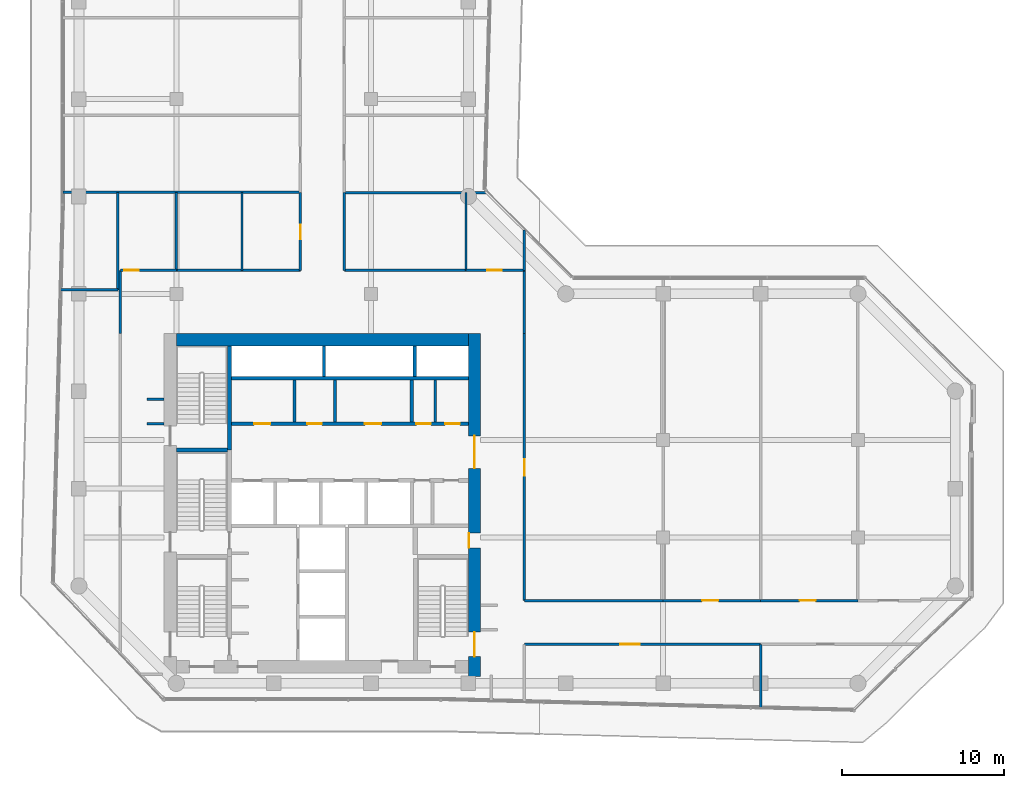
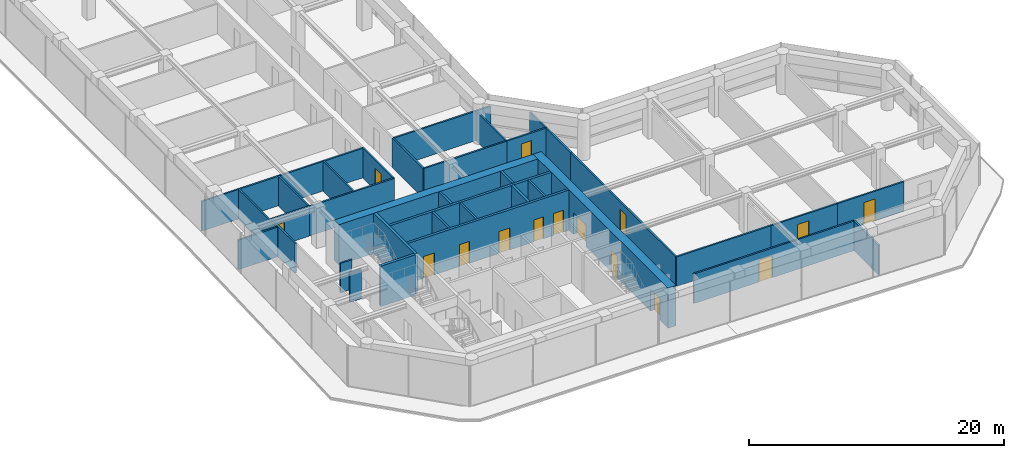
# One storey, part 19 of 23: 36 walls, 15 doors, 15 openings.
"""IFC4 building model written with IfcOpenShell, lengths in metres."""

from ifc_helpers import new_model, si_unit, direction, frame, frame_2d, origin, place, context, subcontext, project, spatial, rectangle, extrude, material, layer, layer_set, type_object, element, fill, save


model = new_model("IFC4")

# Units and contexts
model_context = context("Model", 3, precision=1e-05, world=origin(), true_north=direction((0.0, 1.0)))
body_context = subcontext(model_context, "Body", "Model", "MODEL_VIEW")
ifc_project = project(units=[si_unit("LENGTHUNIT", "METRE"), si_unit("AREAUNIT", "SQUARE_METRE"), si_unit("VOLUMEUNIT", "CUBIC_METRE"), si_unit("PLANEANGLEUNIT", "RADIAN"), si_unit("MASSUNIT", "GRAM", prefix="KILO")], contexts=[model_context])

# Site, building, storey
site_placement = place(None, origin())
site = spatial("IfcSite", under=ifc_project, at=site_placement, CompositionType="ELEMENT")
building_placement = place(site_placement, origin())
building = spatial("IfcBuilding", under=site, at=building_placement, Name="Welwitschia Terrace Campus", CompositionType="ELEMENT")
storey_placement = place(building_placement, frame((0.0, 0.0, 117.199951171875)))
storey = spatial("IfcBuildingStorey", under=building, at=storey_placement, Name="L26", CompositionType="ELEMENT", Elevation=117.199951171875)

# Walls
ifc_material_1 = material(Name="Concrete C32/40", Category="concrete")
ifc_layer_1 = layer(ifc_material_1, 0.175048828125)
ifc_layer_set_1 = layer_set([ifc_layer_1], Name="Concrete C32/40")
wall_type_1 = type_object("IfcWallType", Name="Core partition 175 Concrete C32/40", PredefinedType="PARTITIONING", material=ifc_layer_set_1)
for number, where, z_axis, x_axis, name in (
    (1, (13.27490234375, 20.10009765625, 0.0), (0.0, 0.0, 1.0), (0.0, 1.0, 0.0), "Core partition"),
    (2, (15.77490234375, 20.10009765625, 0.0), (0.0, 0.0, 1.0), (0.0, 1.0, 0.0), "Core partition"),
    (3, (21.9599609375, 20.10009765625, 0.0), (0.0, 0.0, 1.0), (0.0, 1.0, 0.0), "Core partition"),
):
    element("IfcWall", number, at=place(storey_placement, frame(where, z_axis=z_axis, x_axis=x_axis)), inside=storey, type_object=wall_type_1, Name=name, PredefinedType="PARTITIONING", context=body_context, shape_type="SweptSolid", body=[
        extrude(rectangle(XDim=2.599853515625, YDim=0.175048828125, at=frame_2d((1.2998046875, 0.0))), origin(), (0.0, 0.0, 1.0), 3.85009765625),
    ])

# Wall, openings, doors
ifc_material_2 = material(Name="Concrete C32/40", Category="concrete")
ifc_layer_2 = layer(ifc_material_2, 0.22509765625)
ifc_layer_set_2 = layer_set([ifc_layer_2], Name="Concrete C32/40")
wall_type_2 = type_object("IfcWallType", Name="Core partition 225 Concrete C32/40", PredefinedType="PARTITIONING", material=ifc_layer_set_2)
wall_1_placement = place(storey_placement, frame((24.0, 20.0, 0.0), z_axis=(0.0, 0.0, 1.0), x_axis=(-1.0, 0.0, 0.0)))
wall_1 = element("IfcWall", 4, at=wall_1_placement, inside=storey, type_object=wall_type_2, Name="Core partition", PredefinedType="PARTITIONING", context=body_context, shape_type="SweptSolid", body=[
    extrude(rectangle(XDim=14.60009765625, YDim=0.22509765625, at=frame_2d((7.300048828125, 0.0))), origin(), (0.0, 0.0, 1.0), 3.85009765625),
])
opening_1_placement = place(wall_1_placement, frame((12.199951171875, 0.0, 0.0)))
opening_1 = element("IfcOpeningElement", 5, at=opening_1_placement, cuts=wall_1, Name="Opening DR10", PredefinedType="OPENING", context=body_context, shape_type="SweptSolid", body=[
    extrude(rectangle(XDim=1.0, YDim=2.10009765625, at=frame_2d((0.5, 1.050048828125))), frame((0.0, 0.12255859375, 0.0), z_axis=(0.0, -1.0, 0.0), x_axis=(1.0, 0.0, 0.0)), (0.0, 0.0, 1.0), 0.2451171875),
])
opening_2_placement = place(wall_1_placement, frame((9.02490234375, 0.0, 0.0)))
opening_2 = element("IfcOpeningElement", 6, at=opening_2_placement, cuts=wall_1, Name="Opening DR09", PredefinedType="OPENING", context=body_context, shape_type="SweptSolid", body=[
    extrude(rectangle(XDim=0.89990234375, YDim=2.10009765625, at=frame_2d((0.449951171875, 1.050048828125))), frame((0.0, 0.12255859375, 0.0), z_axis=(0.0, -1.0, 0.0), x_axis=(1.0, 0.0, 0.0)), (0.0, 0.0, 1.0), 0.2451171875),
])
opening_3_placement = place(wall_1_placement, frame((5.375, 0.0, 0.0)))
opening_3 = element("IfcOpeningElement", 7, at=opening_3_placement, cuts=wall_1, Name="Opening DR10", PredefinedType="OPENING", context=body_context, shape_type="SweptSolid", body=[
    extrude(rectangle(XDim=1.0, YDim=2.10009765625, at=frame_2d((0.5, 1.050048828125))), frame((0.0, 0.12255859375, 0.0), z_axis=(0.0, -1.0, 0.0), x_axis=(1.0, 0.0, 0.0)), (0.0, 0.0, 1.0), 0.2451171875),
])
opening_4_placement = place(wall_1_placement, frame((2.3076171875, 0.0, 0.0)))
opening_4 = element("IfcOpeningElement", 8, at=opening_4_placement, cuts=wall_1, Name="Opening DR09", PredefinedType="OPENING", context=body_context, shape_type="SweptSolid", body=[
    extrude(rectangle(XDim=0.89990234375, YDim=2.10009765625, at=frame_2d((0.449951171875, 1.050048828125))), frame((0.0, 0.12255859375, 0.0), z_axis=(0.0, -1.0, 0.0), x_axis=(1.0, 0.0, 0.0)), (0.0, 0.0, 1.0), 0.2451171875),
])
opening_5_placement = place(wall_1_placement, frame((0.532470703125, 0.0, 0.0)))
opening_5 = element("IfcOpeningElement", 9, at=opening_5_placement, cuts=wall_1, Name="Opening DR09", PredefinedType="OPENING", context=body_context, shape_type="SweptSolid", body=[
    extrude(rectangle(XDim=0.89990234375, YDim=2.10009765625, at=frame_2d((0.449951171875, 1.050048828125))), frame((0.0, 0.12255859375, 0.0), z_axis=(0.0, -1.0, 0.0), x_axis=(1.0, 0.0, 0.0)), (0.0, 0.0, 1.0), 0.2451171875),
])
ifc_material_3 = material(Name="Steel S275", Category="steel")
door_type_1 = type_object("IfcDoorType", Name="Core door DR09", OperationType="SINGLE_SWING_LEFT", PredefinedType="DOOR", material=ifc_material_3)
door_1_placement = place(opening_2_placement, origin())
door_1 = element("IfcDoor", 10, at=door_1_placement, inside=storey, type_object=door_type_1, Name="Door BAYH2-D", OperationType="SINGLE_SWING_RIGHT", OverallHeight=2.10009765625, OverallWidth=0.89990234375, PredefinedType="DOOR", context=body_context, shape_type="SweptSolid", body=[
    extrude(rectangle(XDim=0.89990234375, YDim=2.10009765625, at=frame_2d((0.449951171875, 1.050048828125))), frame((0.0, 0.02490234375, 0.0), z_axis=(0.0, -1.0, 0.0), x_axis=(1.0, 0.0, 0.0)), (0.0, 0.0, 1.0), 0.050048828125),
])
fill(opening_2, door_1)
door_2_placement = place(opening_4_placement, origin())
door_2 = element("IfcDoor", 11, at=door_2_placement, inside=storey, type_object=door_type_1, Name="Door EH1-D", OperationType="SINGLE_SWING_LEFT", OverallHeight=2.10009765625, OverallWidth=0.89990234375, PredefinedType="DOOR", context=body_context, shape_type="SweptSolid", body=[
    extrude(rectangle(XDim=0.89990234375, YDim=2.10009765625, at=frame_2d((0.449951171875, 1.050048828125))), frame((0.0, 0.02490234375, 0.0), z_axis=(0.0, -1.0, 0.0), x_axis=(1.0, 0.0, 0.0)), (0.0, 0.0, 1.0), 0.050048828125),
])
fill(opening_4, door_2)
door_3_placement = place(opening_5_placement, origin())
door_3 = element("IfcDoor", 12, at=door_3_placement, inside=storey, type_object=door_type_1, Name="Door EH2-D", OperationType="SINGLE_SWING_LEFT", OverallHeight=2.10009765625, OverallWidth=0.89990234375, PredefinedType="DOOR", context=body_context, shape_type="SweptSolid", body=[
    extrude(rectangle(XDim=0.89990234375, YDim=2.10009765625, at=frame_2d((0.449951171875, 1.050048828125))), frame((0.0, 0.02490234375, 0.0), z_axis=(0.0, -1.0, 0.0), x_axis=(1.0, 0.0, 0.0)), (0.0, 0.0, 1.0), 0.050048828125),
])
fill(opening_5, door_3)
ifc_material_4 = material(Name="Steel S275", Category="steel")
door_type_2 = type_object("IfcDoorType", Name="Core door DR10", OperationType="SINGLE_SWING_LEFT", PredefinedType="DOOR", material=ifc_material_4)
door_4_placement = place(opening_1_placement, origin())
door_4 = element("IfcDoor", 13, at=door_4_placement, inside=storey, type_object=door_type_2, Name="Door BAYH1-D", OperationType="SINGLE_SWING_RIGHT", OverallHeight=2.10009765625, OverallWidth=1.0, PredefinedType="DOOR", context=body_context, shape_type="SweptSolid", body=[
    extrude(rectangle(XDim=1.0, YDim=2.10009765625, at=frame_2d((0.5, 1.050048828125))), frame((0.0, 0.02490234375, 0.0), z_axis=(0.0, -1.0, 0.0), x_axis=(1.0, 0.0, 0.0)), (0.0, 0.0, 1.0), 0.050048828125),
])
fill(opening_1, door_4)
door_5_placement = place(opening_3_placement, origin())
door_5 = element("IfcDoor", 14, at=door_5_placement, inside=storey, type_object=door_type_2, Name="Door BAYH3-D", OperationType="SINGLE_SWING_LEFT", OverallHeight=2.10009765625, OverallWidth=1.0, PredefinedType="DOOR", context=body_context, shape_type="SweptSolid", body=[
    extrude(rectangle(XDim=1.0, YDim=2.10009765625, at=frame_2d((0.5, 1.050048828125))), frame((0.0, 0.02490234375, 0.0), z_axis=(0.0, -1.0, 0.0), x_axis=(1.0, 0.0, 0.0)), (0.0, 0.0, 1.0), 0.050048828125),
])
fill(opening_3, door_5)

# Walls
wall_2_placement = place(storey_placement, frame((9.39990234375, 22.800048828125, 0.0), z_axis=(0.0, 0.0, 1.0), x_axis=(1.0, 0.0, 0.0)))
element("IfcWall", 15, at=wall_2_placement, inside=storey, type_object=wall_type_2, Name="Shaft wall", PredefinedType="PARTITIONING", context=body_context, shape_type="SweptSolid", body=[
    extrude(rectangle(XDim=14.60009765625, YDim=0.22509765625, at=frame_2d((7.300048828125, 0.0))), origin(), (0.0, 0.0, 1.0), 3.85009765625),
])
wall_3_placement = place(storey_placement, frame((20.5, 20.10009765625, 0.0), z_axis=(0.0, 0.0, 1.0), x_axis=(0.0, 1.0, 0.0)))
element("IfcWall", 16, at=wall_3_placement, inside=storey, type_object=wall_type_2, Name="Core partition", PredefinedType="PARTITIONING", context=body_context, shape_type="SweptSolid", body=[
    extrude(rectangle(XDim=2.599853515625, YDim=0.22509765625, at=frame_2d((1.2998046875, 0.0))), origin(), (0.0, 0.0, 1.0), 3.85009765625),
])
ifc_material_5 = material(Name="Concrete C50/60", Category="concrete")
ifc_layer_3 = layer(ifc_material_5, 0.199951171875)
ifc_layer_set_3 = layer_set([ifc_layer_3], Name="Concrete C50/60")
wall_type_3 = type_object("IfcWallType", Name="Core wall 200 Concrete C50/60", PredefinedType="SHEAR", material=ifc_layer_set_3)
for number, where, z_axis, x_axis, name in (
    (17, (15.10009765625, 22.89990234375, 0.0), (0.0, 0.0, 1.0), (0.0, 1.0, 0.0), "Core wall"),
    (18, (20.699951171875, 22.89990234375, 0.0), (0.0, 0.0, 1.0), (0.0, 1.0, 0.0), "Core wall"),
):
    element("IfcWall", number, at=place(storey_placement, frame(where, z_axis=z_axis, x_axis=x_axis)), inside=storey, type_object=wall_type_3, Name=name, PredefinedType="SHEAR", context=body_context, shape_type="SweptSolid", body=[
        extrude(rectangle(XDim=1.900146484375, YDim=0.199951171875, at=frame_2d((0.9501953125, 0.0))), origin(), (0.0, 0.0, 1.0), 3.85009765625),
    ])
ifc_material_6 = material(Name="Concrete C50/60", Category="concrete")
ifc_layer_4 = layer(ifc_material_6, 0.25)
ifc_layer_set_4 = layer_set([ifc_layer_4], Name="Concrete C50/60")
wall_type_4 = type_object("IfcWallType", Name="Core wall 250 Concrete C50/60", PredefinedType="SHEAR", material=ifc_layer_set_4)
wall_4_placement = place(storey_placement, frame((6.0, 18.375, 0.0), z_axis=(0.0, 0.0, 1.0), x_axis=(1.0, 0.0, 0.0)))
element("IfcWall", 19, at=wall_4_placement, inside=storey, type_object=wall_type_4, Name="Core wall", PredefinedType="SHEAR", context=body_context, shape_type="SweptSolid", body=[
    extrude(rectangle(XDim=3.14990234375, YDim=0.25, at=frame_2d((1.574951171875, 0.0))), origin(), (0.0, 0.0, 1.0), 3.85009765625),
])
wall_5_placement = place(storey_placement, frame((9.27490234375, 18.375, 0.0), z_axis=(0.0, 0.0, 1.0), x_axis=(0.0, 1.0, 0.0)))
element("IfcWall", 20, at=wall_5_placement, inside=storey, type_object=wall_type_4, Name="Core wall", PredefinedType="SHEAR", context=body_context, shape_type="SweptSolid", body=[
    extrude(rectangle(XDim=6.425048828125, YDim=0.25, at=frame_2d((3.21240234375, 0.0))), origin(), (0.0, 0.0, 1.0), 3.85009765625),
])

# Wall, openings, doors
ifc_material_7 = material(Name="Concrete C70/85", Category="concrete")
ifc_layer_5 = layer(ifc_material_7, 0.75)
ifc_layer_set_5 = layer_set([ifc_layer_5], Name="Concrete C70/85")
wall_type_5 = type_object("IfcWallType", Name="Core wall 750 Concrete C70/85", PredefinedType="SHEAR", material=ifc_layer_set_5)
wall_6_placement = place(storey_placement, frame((24.375, 25.550048828125, 0.0), z_axis=(0.0, 0.0, 1.0), x_axis=(0.0, -1.0, 0.0)))
wall_6 = element("IfcWall", 21, at=wall_6_placement, inside=storey, type_object=wall_type_5, Name="Core outer wall", PredefinedType="SHEAR", context=body_context, shape_type="SweptSolid", body=[
    extrude(rectangle(XDim=21.130126953125, YDim=0.75, at=frame_2d((10.56494140625, 0.0))), origin(), (0.0, 0.0, 1.0), 3.85009765625),
])
opening_6_placement = place(wall_6_placement, frame((18.39990234375, 0.0, 0.0)))
opening_6 = element("IfcOpeningElement", 22, at=opening_6_placement, cuts=wall_6, Name="Opening DS15", PredefinedType="OPENING", context=body_context, shape_type="SweptSolid", body=[
    extrude(rectangle(XDim=1.5, YDim=2.10009765625, at=frame_2d((0.75, 1.050048828125))), frame((0.0, 0.385009765625, 0.0), z_axis=(0.0, -1.0, 0.0), x_axis=(1.0, 0.0, 0.0)), (0.0, 0.0, 1.0), 0.77001953125),
])
opening_7_placement = place(wall_6_placement, frame((12.300048828125, 0.0, 0.0)))
opening_7 = element("IfcOpeningElement", 23, at=opening_7_placement, cuts=wall_6, Name="Opening DR09", PredefinedType="OPENING", context=body_context, shape_type="SweptSolid", body=[
    extrude(rectangle(XDim=0.89990234375, YDim=2.10009765625, at=frame_2d((0.449951171875, 1.050048828125))), frame((0.0, 0.385009765625, 0.0), z_axis=(0.0, -1.0, 0.0), x_axis=(1.0, 0.0, 0.0)), (0.0, 0.0, 1.0), 0.77001953125),
])
opening_8_placement = place(wall_6_placement, frame((6.300048828125, 0.0, 0.0)))
opening_8 = element("IfcOpeningElement", 24, at=opening_8_placement, cuts=wall_6, Name="Opening DL20", PredefinedType="OPENING", context=body_context, shape_type="SweptSolid", body=[
    extrude(rectangle(XDim=2.0, YDim=2.10009765625, at=frame_2d((1.0, 1.050048828125))), frame((0.0, 0.385009765625, 0.0), z_axis=(0.0, -1.0, 0.0), x_axis=(1.0, 0.0, 0.0)), (0.0, 0.0, 1.0), 0.77001953125),
])
ifc_material_8 = material(Name="Steel S275", Category="steel")
door_type_3 = type_object("IfcDoorType", Name="Core door DL20", OperationType="DOUBLE_DOOR_SINGLE_SWING", PredefinedType="DOOR", material=ifc_material_8)
door_6_placement = place(opening_8_placement, origin())
door_6 = element("IfcDoor", 25, at=door_6_placement, inside=storey, type_object=door_type_3, Name="Door LOBBY-out", OperationType="DOUBLE_DOOR_SINGLE_SWING", OverallHeight=2.10009765625, OverallWidth=2.0, PredefinedType="DOOR", context=body_context, shape_type="SweptSolid", body=[
    extrude(rectangle(XDim=2.0, YDim=2.10009765625, at=frame_2d((1.0, 1.050048828125))), frame((0.0, 0.02490234375, 0.0), z_axis=(0.0, -1.0, 0.0), x_axis=(1.0, 0.0, 0.0)), (0.0, 0.0, 1.0), 0.050048828125),
])
fill(opening_8, door_6)
door_7_placement = place(opening_7_placement, origin())
door_7 = element("IfcDoor", 26, at=door_7_placement, inside=storey, type_object=door_type_1, Name="Door F1B-out", OperationType="SINGLE_SWING_RIGHT", OverallHeight=2.10009765625, OverallWidth=0.89990234375, PredefinedType="DOOR", context=body_context, shape_type="SweptSolid", body=[
    extrude(rectangle(XDim=0.89990234375, YDim=2.10009765625, at=frame_2d((0.449951171875, 1.050048828125))), frame((0.0, -0.31494140625, 0.0), z_axis=(0.0, -1.0, 0.0), x_axis=(1.0, 0.0, 0.0)), (0.0, 0.0, 1.0), 0.050048828125),
])
fill(opening_7, door_7)
ifc_material_9 = material(Name="Steel S275", Category="steel")
door_type_4 = type_object("IfcDoorType", Name="Core door DS15", OperationType="DOUBLE_DOOR_SINGLE_SWING", PredefinedType="DOOR", material=ifc_material_9)
door_8_placement = place(opening_6_placement, origin())
door_8 = element("IfcDoor", 27, at=door_8_placement, inside=storey, type_object=door_type_4, Name="Door S2-out", OperationType="DOUBLE_DOOR_SINGLE_SWING", OverallHeight=2.10009765625, OverallWidth=1.5, PredefinedType="DOOR", context=body_context, shape_type="SweptSolid", body=[
    extrude(rectangle(XDim=1.5, YDim=2.10009765625, at=frame_2d((0.75, 1.050048828125))), frame((0.0, 0.02490234375, 0.0), z_axis=(0.0, -1.0, 0.0), x_axis=(1.0, 0.0, 0.0)), (0.0, 0.0, 1.0), 0.050048828125),
])
fill(opening_6, door_8)

# Walls
wall_7_placement = place(storey_placement, frame((6.0, 25.175048828125, 0.0), z_axis=(0.0, 0.0, 1.0), x_axis=(1.0, 0.0, 0.0)))
element("IfcWall", 28, at=wall_7_placement, inside=storey, type_object=wall_type_5, Name="Core outer wall", PredefinedType="SHEAR", context=body_context, shape_type="SweptSolid", body=[
    extrude(rectangle(XDim=18.0, YDim=0.75, at=frame_2d((9.0, 0.0))), origin(), (0.0, 0.0, 1.0), 3.85009765625),
])
ifc_material_10 = material(Name="Gypsum board on steel studs", Category="steel")
ifc_layer_6 = layer(ifc_material_10, 0.14990234375)
ifc_layer_set_6 = layer_set([ifc_layer_6], Name="Gypsum board on steel studs")
wall_type_6 = type_object("IfcWallType", Name="Corridor partition 150 EI 30", PredefinedType="PARTITIONING", material=ifc_layer_set_6)
wall_8_placement = place(storey_placement, frame((-1.1201171875, 28.25, 0.0), z_axis=(0.0, 0.0, 1.0), x_axis=(1.0, 0.0, 0.0)))
element("IfcWall", 29, at=wall_8_placement, inside=storey, type_object=wall_type_6, Name="Partition", PredefinedType="PARTITIONING", context=body_context, shape_type="SweptSolid", body=[
    extrude(rectangle(XDim=3.52001953125, YDim=0.14990234375, at=frame_2d((1.760009765625, 0.0))), origin(), (0.0, 0.0, 1.0), 2.830078125),
])
wall_9_placement = place(storey_placement, frame((-0.97998046875, 34.25, 0.0), z_axis=(0.0, 0.0, 1.0), x_axis=(1.0, 0.0, 0.0)))
element("IfcWall", 30, at=wall_9_placement, inside=storey, type_object=wall_type_6, Name="Partition", PredefinedType="PARTITIONING", context=body_context, shape_type="SweptSolid", body=[
    extrude(rectangle(XDim=14.6298828125, YDim=0.14990234375, at=frame_2d((7.31494140625, 0.0))), origin(), (0.0, 0.0, 1.0), 2.830078125),
])
wall_10_placement = place(storey_placement, frame((2.39990234375, 28.25, 0.0), z_axis=(0.0, 0.0, 1.0), x_axis=(0.0, 1.0, 0.0)))
element("IfcWall", 31, at=wall_10_placement, inside=storey, type_object=wall_type_6, Name="Partition", PredefinedType="PARTITIONING", context=body_context, shape_type="SweptSolid", body=[
    extrude(rectangle(XDim=6.0, YDim=0.14990234375, at=frame_2d((3.0, 0.0))), origin(), (0.0, 0.0, 1.0), 2.830078125),
])
wall_11_placement = place(storey_placement, frame((2.550048828125, 25.550048828125, 0.0), z_axis=(0.0, 0.0, 1.0), x_axis=(0.0, 1.0, 0.0)))
element("IfcWall", 32, at=wall_11_placement, inside=storey, type_object=wall_type_6, Name="Partition", PredefinedType="PARTITIONING", context=body_context, shape_type="SweptSolid", body=[
    extrude(rectangle(XDim=3.89990234375, YDim=0.14990234375, at=frame_2d((1.949951171875, 0.0))), origin(), (0.0, 0.0, 1.0), 2.830078125),
])

# Wall, opening, door
wall_12_placement = place(storey_placement, frame((2.550048828125, 29.449951171875, 0.0), z_axis=(0.0, 0.0, 1.0), x_axis=(1.0, 0.0, 0.0)))
wall_12 = element("IfcWall", 33, at=wall_12_placement, inside=storey, type_object=wall_type_6, Name="Partition", PredefinedType="PARTITIONING", context=body_context, shape_type="SweptSolid", body=[
    extrude(rectangle(XDim=3.449951171875, YDim=0.14990234375, at=frame_2d((1.72509765625, 0.0))), origin(), (0.0, 0.0, 1.0), 2.830078125),
])
opening_9_placement = place(wall_12_placement, frame((0.25, 0.0, 0.0)))
opening_9 = element("IfcOpeningElement", 34, at=opening_9_placement, cuts=wall_12, Name="Opening DI09", PredefinedType="OPENING", context=body_context, shape_type="SweptSolid", body=[
    extrude(rectangle(XDim=0.89990234375, YDim=2.10009765625, at=frame_2d((0.449951171875, 1.050048828125))), frame((0.0, 0.0849609375, 0.0), z_axis=(0.0, -1.0, 0.0), x_axis=(1.0, 0.0, 0.0)), (0.0, 0.0, 1.0), 0.169921875),
])
ifc_material_11 = material(Name="Timber veneered door", Category="wood")
door_type_5 = type_object("IfcDoorType", Name="Interior door DI09", OperationType="NOTDEFINED", PredefinedType="DOOR", material=ifc_material_11)
door_9_placement = place(opening_9_placement, origin())
door_9 = element("IfcDoor", 35, at=door_9_placement, inside=storey, type_object=door_type_5, Name="Door L26 563", OperationType="SINGLE_SWING_RIGHT", OverallHeight=2.10009765625, OverallWidth=0.89990234375, PredefinedType="DOOR", context=body_context, shape_type="SweptSolid", body=[
    extrude(rectangle(XDim=0.89990234375, YDim=2.10009765625, at=frame_2d((0.449951171875, 1.050048828125))), frame((0.0, 0.02490234375, 0.0), z_axis=(0.0, -1.0, 0.0), x_axis=(1.0, 0.0, 0.0)), (0.0, 0.0, 1.0), 0.050048828125),
])
fill(opening_9, door_9)

# Walls
for number, where, z_axis, x_axis, name in (
    (36, (4.199951171875, 20.0, 0.0), (0.0, 0.0, 1.0), (1.0, 0.0, 0.0), "Partition"),
    (37, (4.199951171875, 21.5, 0.0), (0.0, 0.0, 1.0), (1.0, 0.0, 0.0), "Partition"),
):
    element("IfcWall", number, at=place(storey_placement, frame(where, z_axis=z_axis, x_axis=x_axis)), inside=storey, type_object=wall_type_6, Name=name, PredefinedType="PARTITIONING", context=body_context, shape_type="SweptSolid", body=[
        extrude(rectangle(XDim=1.050048828125, YDim=0.14990234375, at=frame_2d((0.52490234375, 0.0))), origin(), (0.0, 0.0, 1.0), 2.830078125),
    ])
wall_13_placement = place(storey_placement, frame((6.0, 29.449951171875, 0.0), z_axis=(0.0, 0.0, 1.0), x_axis=(0.0, 1.0, 0.0)))
element("IfcWall", 38, at=wall_13_placement, inside=storey, type_object=wall_type_6, Name="Partition", PredefinedType="PARTITIONING", context=body_context, shape_type="SweptSolid", body=[
    extrude(rectangle(XDim=4.800048828125, YDim=0.14990234375, at=frame_2d((2.39990234375, 0.0))), origin(), (0.0, 0.0, 1.0), 2.830078125),
])
wall_14_placement = place(storey_placement, frame((6.0, 29.449951171875, 0.0), z_axis=(0.0, 0.0, 1.0), x_axis=(1.0, 0.0, 0.0)))
element("IfcWall", 39, at=wall_14_placement, inside=storey, type_object=wall_type_6, Name="Partition", PredefinedType="PARTITIONING", context=body_context, shape_type="SweptSolid", body=[
    extrude(rectangle(XDim=7.64990234375, YDim=0.14990234375, at=frame_2d((3.824951171875, 0.0))), origin(), (0.0, 0.0, 1.0), 2.830078125),
])
wall_15_placement = place(storey_placement, frame((10.050048828125, 29.449951171875, 0.0), z_axis=(0.0, 0.0, 1.0), x_axis=(0.0, 1.0, 0.0)))
element("IfcWall", 40, at=wall_15_placement, inside=storey, type_object=wall_type_6, Name="Partition", PredefinedType="PARTITIONING", context=body_context, shape_type="SweptSolid", body=[
    extrude(rectangle(XDim=4.800048828125, YDim=0.14990234375, at=frame_2d((2.39990234375, 0.0))), origin(), (0.0, 0.0, 1.0), 2.830078125),
])

# Wall, opening, door
wall_16_placement = place(storey_placement, frame((13.64990234375, 29.449951171875, 0.0), z_axis=(0.0, 0.0, 1.0), x_axis=(0.0, 1.0, 0.0)))
wall_16 = element("IfcWall", 41, at=wall_16_placement, inside=storey, type_object=wall_type_6, Name="Partition", PredefinedType="PARTITIONING", context=body_context, shape_type="SweptSolid", body=[
    extrude(rectangle(XDim=4.800048828125, YDim=0.14990234375, at=frame_2d((2.39990234375, 0.0))), origin(), (0.0, 0.0, 1.0), 2.830078125),
])
opening_10_placement = place(wall_16_placement, frame((1.89990234375, 0.0, 0.0)))
opening_10 = element("IfcOpeningElement", 42, at=opening_10_placement, cuts=wall_16, Name="Opening DI09", PredefinedType="OPENING", context=body_context, shape_type="SweptSolid", body=[
    extrude(rectangle(XDim=0.89990234375, YDim=2.10009765625, at=frame_2d((0.449951171875, 1.050048828125))), frame((0.0, 0.0849609375, 0.0), z_axis=(0.0, -1.0, 0.0), x_axis=(1.0, 0.0, 0.0)), (0.0, 0.0, 1.0), 0.169921875),
])
door_10_placement = place(opening_10_placement, origin())
door_10 = element("IfcDoor", 43, at=door_10_placement, inside=storey, type_object=door_type_5, Name="Door L26 564", OperationType="SINGLE_SWING_LEFT", OverallHeight=2.10009765625, OverallWidth=0.89990234375, PredefinedType="DOOR", context=body_context, shape_type="SweptSolid", body=[
    extrude(rectangle(XDim=0.89990234375, YDim=2.10009765625, at=frame_2d((0.449951171875, 1.050048828125))), frame((0.0, 0.02490234375, 0.0), z_axis=(0.0, -1.0, 0.0), x_axis=(1.0, 0.0, 0.0)), (0.0, 0.0, 1.0), 0.050048828125),
])
fill(opening_10, door_10)

# Walls
wall_17_placement = place(storey_placement, frame((16.35009765625, 29.449951171875, 0.0), z_axis=(0.0, 0.0, 1.0), x_axis=(0.0, 1.0, 0.0)))
element("IfcWall", 44, at=wall_17_placement, inside=storey, type_object=wall_type_6, Name="Partition", PredefinedType="PARTITIONING", context=body_context, shape_type="SweptSolid", body=[
    extrude(rectangle(XDim=4.800048828125, YDim=0.14990234375, at=frame_2d((2.39990234375, 0.0))), origin(), (0.0, 0.0, 1.0), 2.830078125),
])
wall_18_placement = place(storey_placement, frame((16.35009765625, 29.449951171875, 0.0), z_axis=(0.0, 0.0, 1.0), x_axis=(1.0, 0.0, 0.0)))
element("IfcWall", 45, at=wall_18_placement, inside=storey, type_object=wall_type_6, Name="Partition", PredefinedType="PARTITIONING", context=body_context, shape_type="SweptSolid", body=[
    extrude(rectangle(XDim=7.5, YDim=0.14990234375, at=frame_2d((3.75, 0.0))), origin(), (0.0, 0.0, 1.0), 2.830078125),
])
wall_19_placement = place(storey_placement, frame((16.35009765625, 34.2216796875, 0.0), z_axis=(0.0, 0.0, 1.0), x_axis=(1.0, 0.0, 0.0)))
element("IfcWall", 46, at=wall_19_placement, inside=storey, type_object=wall_type_6, Name="Partition", PredefinedType="PARTITIONING", context=body_context, shape_type="SweptSolid", body=[
    extrude(rectangle(XDim=8.789794921875, YDim=0.14990234375, at=frame_2d((4.39501953125, 0.0))), origin(), (0.0, 0.0, 1.0), 2.830078125),
])
wall_20_placement = place(storey_placement, frame((23.85009765625, 29.449951171875, 0.0), z_axis=(0.0, 0.0, 1.0), x_axis=(0.0, 1.0, 0.0)))
element("IfcWall", 47, at=wall_20_placement, inside=storey, type_object=wall_type_6, Name="Partition", PredefinedType="PARTITIONING", context=body_context, shape_type="SweptSolid", body=[
    extrude(rectangle(XDim=4.800048828125, YDim=0.14990234375, at=frame_2d((2.39990234375, 0.0))), origin(), (0.0, 0.0, 1.0), 2.830078125),
])

# Wall, opening, door
wall_21_placement = place(storey_placement, frame((23.85009765625, 29.449951171875, 0.0), z_axis=(0.0, 0.0, 1.0), x_axis=(1.0, 0.0, 0.0)))
wall_21 = element("IfcWall", 48, at=wall_21_placement, inside=storey, type_object=wall_type_6, Name="Partition", PredefinedType="PARTITIONING", context=body_context, shape_type="SweptSolid", body=[
    extrude(rectangle(XDim=3.599853515625, YDim=0.14990234375, at=frame_2d((1.7998046875, 0.0))), origin(), (0.0, 0.0, 1.0), 2.830078125),
])
opening_11_placement = place(wall_21_placement, frame((1.300048828125, 0.0, 0.0)))
opening_11 = element("IfcOpeningElement", 49, at=opening_11_placement, cuts=wall_21, Name="Opening DI09", PredefinedType="OPENING", context=body_context, shape_type="SweptSolid", body=[
    extrude(rectangle(XDim=0.89990234375, YDim=2.10009765625, at=frame_2d((0.449951171875, 1.050048828125))), frame((0.0, 0.0849609375, 0.0), z_axis=(0.0, -1.0, 0.0), x_axis=(1.0, 0.0, 0.0)), (0.0, 0.0, 1.0), 0.169921875),
])
door_11_placement = place(opening_11_placement, origin())
door_11 = element("IfcDoor", 50, at=door_11_placement, inside=storey, type_object=door_type_5, Name="Door L26 574", OperationType="SINGLE_SWING_LEFT", OverallHeight=2.10009765625, OverallWidth=0.89990234375, PredefinedType="DOOR", context=body_context, shape_type="SweptSolid", body=[
    extrude(rectangle(XDim=0.89990234375, YDim=2.10009765625, at=frame_2d((0.449951171875, 1.050048828125))), frame((0.0, 0.02490234375, 0.0), z_axis=(0.0, -1.0, 0.0), x_axis=(1.0, 0.0, 0.0)), (0.0, 0.0, 1.0), 0.050048828125),
])
fill(opening_11, door_11)

# Wall
wall_22_placement = place(storey_placement, frame((27.449951171875, 9.10009765625, 0.0), z_axis=(0.0, 0.0, 1.0), x_axis=(1.0, 0.0, 0.0)))
element("IfcWall", 51, at=wall_22_placement, inside=storey, type_object=wall_type_6, Name="Partition", PredefinedType="PARTITIONING", context=body_context, shape_type="SweptSolid", body=[
    extrude(rectangle(XDim=8.550048828125, YDim=0.14990234375, at=frame_2d((4.27490234375, 0.0))), origin(), (0.0, 0.0, 1.0), 2.830078125),
])

# Wall, opening, door
wall_23_placement = place(storey_placement, frame((27.449951171875, 25.550048828125, 0.0), z_axis=(0.0, 0.0, 1.0), x_axis=(0.0, -1.0, 0.0)))
wall_23 = element("IfcWall", 52, at=wall_23_placement, inside=storey, type_object=wall_type_6, Name="Partition", PredefinedType="PARTITIONING", context=body_context, shape_type="SweptSolid", body=[
    extrude(rectangle(XDim=16.449951171875, YDim=0.14990234375, at=frame_2d((8.22509765625, 0.0))), origin(), (0.0, 0.0, 1.0), 2.830078125),
])
opening_12_placement = place(wall_23_placement, frame((7.75, 0.0, 0.0)))
opening_12 = element("IfcOpeningElement", 53, at=opening_12_placement, cuts=wall_23, Name="Opening DI10", PredefinedType="OPENING", context=body_context, shape_type="SweptSolid", body=[
    extrude(rectangle(XDim=1.0, YDim=2.10009765625, at=frame_2d((0.5, 1.050048828125))), frame((0.0, 0.0849609375, 0.0), z_axis=(0.0, -1.0, 0.0), x_axis=(1.0, 0.0, 0.0)), (0.0, 0.0, 1.0), 0.169921875),
])
ifc_material_12 = material(Name="Timber veneered door", Category="wood")
door_type_6 = type_object("IfcDoorType", Name="Interior door DI10", OperationType="NOTDEFINED", PredefinedType="DOOR", material=ifc_material_12)
door_12_placement = place(opening_12_placement, origin())
door_12 = element("IfcDoor", 54, at=door_12_placement, inside=storey, type_object=door_type_6, Name="Door L26 575", OperationType="SINGLE_SWING_RIGHT", OverallHeight=2.10009765625, OverallWidth=1.0, PredefinedType="DOOR", context=body_context, shape_type="SweptSolid", body=[
    extrude(rectangle(XDim=1.0, YDim=2.10009765625, at=frame_2d((0.5, 1.050048828125))), frame((0.0, 0.02490234375, 0.0), z_axis=(0.0, -1.0, 0.0), x_axis=(1.0, 0.0, 0.0)), (0.0, 0.0, 1.0), 0.050048828125),
])
fill(opening_12, door_12)

# Walls
wall_24_placement = place(storey_placement, frame((27.449951171875, 25.550048828125, 0.0), z_axis=(0.0, 0.0, 1.0), x_axis=(0.0, 1.0, 0.0)))
element("IfcWall", 55, at=wall_24_placement, inside=storey, type_object=wall_type_6, Name="Partition", PredefinedType="PARTITIONING", context=body_context, shape_type="SweptSolid", body=[
    extrude(rectangle(XDim=3.89990234375, YDim=0.14990234375, at=frame_2d((1.949951171875, 0.0))), origin(), (0.0, 0.0, 1.0), 2.830078125),
])
wall_25_placement = place(storey_placement, frame((27.449951171875, 29.449951171875, 0.0), z_axis=(0.0, 0.0, 1.0), x_axis=(0.0, 1.0, 0.0)))
element("IfcWall", 56, at=wall_25_placement, inside=storey, type_object=wall_type_6, Name="Partition", PredefinedType="PARTITIONING", context=body_context, shape_type="SweptSolid", body=[
    extrude(rectangle(XDim=2.489990234375, YDim=0.14990234375, at=frame_2d((1.2451171875, 0.0))), origin(), (0.0, 0.0, 1.0), 2.830078125),
])

# Wall, opening, door
wall_26_placement = place(storey_placement, frame((36.0, 9.10009765625, 0.0), z_axis=(0.0, 0.0, 1.0), x_axis=(1.0, 0.0, 0.0)))
wall_26 = element("IfcWall", 57, at=wall_26_placement, inside=storey, type_object=wall_type_6, Name="Partition", PredefinedType="PARTITIONING", context=body_context, shape_type="SweptSolid", body=[
    extrude(rectangle(XDim=6.0, YDim=0.14990234375, at=frame_2d((3.0, 0.0))), origin(), (0.0, 0.0, 1.0), 2.830078125),
])
opening_13_placement = place(wall_26_placement, frame((2.39990234375, 0.0, 0.0)))
opening_13 = element("IfcOpeningElement", 58, at=opening_13_placement, cuts=wall_26, Name="Opening DI10", PredefinedType="OPENING", context=body_context, shape_type="SweptSolid", body=[
    extrude(rectangle(XDim=1.0, YDim=2.10009765625, at=frame_2d((0.5, 1.050048828125))), frame((0.0, 0.0849609375, 0.0), z_axis=(0.0, -1.0, 0.0), x_axis=(1.0, 0.0, 0.0)), (0.0, 0.0, 1.0), 0.169921875),
])
door_13_placement = place(opening_13_placement, origin())
door_13 = element("IfcDoor", 59, at=door_13_placement, inside=storey, type_object=door_type_6, Name="Door L26 576", OperationType="SINGLE_SWING_LEFT", OverallHeight=2.10009765625, OverallWidth=1.0, PredefinedType="DOOR", context=body_context, shape_type="SweptSolid", body=[
    extrude(rectangle(XDim=1.0, YDim=2.10009765625, at=frame_2d((0.5, 1.050048828125))), frame((0.0, 0.02490234375, 0.0), z_axis=(0.0, -1.0, 0.0), x_axis=(1.0, 0.0, 0.0)), (0.0, 0.0, 1.0), 0.050048828125),
])
fill(opening_13, door_13)

# Wall
wall_27_placement = place(storey_placement, frame((42.0, 2.5, 0.0), z_axis=(0.0, 0.0, 1.0), x_axis=(0.0, 1.0, 0.0)))
element("IfcWall", 60, at=wall_27_placement, inside=storey, type_object=wall_type_6, Name="Partition", PredefinedType="PARTITIONING", context=body_context, shape_type="SweptSolid", body=[
    extrude(rectangle(XDim=3.89990234375, YDim=0.14990234375, at=frame_2d((1.949951171875, 0.0))), origin(), (0.0, 0.0, 1.0), 2.830078125),
])

# Wall, opening, door
wall_28_placement = place(storey_placement, frame((42.0, 6.39990234375, 0.0), z_axis=(0.0, 0.0, 1.0), x_axis=(-1.0, 0.0, 0.0)))
wall_28 = element("IfcWall", 61, at=wall_28_placement, inside=storey, type_object=wall_type_6, Name="Partition", PredefinedType="PARTITIONING", context=body_context, shape_type="SweptSolid", body=[
    extrude(rectangle(XDim=14.550048828125, YDim=0.14990234375, at=frame_2d((7.27490234375, 0.0))), origin(), (0.0, 0.0, 1.0), 2.830078125),
])
opening_14_placement = place(wall_28_placement, frame((7.449951171875, 0.0, 0.0)))
opening_14 = element("IfcOpeningElement", 62, at=opening_14_placement, cuts=wall_28, Name="Opening DI12", PredefinedType="OPENING", context=body_context, shape_type="SweptSolid", body=[
    extrude(rectangle(XDim=1.199951171875, YDim=2.10009765625, at=frame_2d((0.60009765625, 1.050048828125))), frame((0.0, 0.0849609375, 0.0), z_axis=(0.0, -1.0, 0.0), x_axis=(1.0, 0.0, 0.0)), (0.0, 0.0, 1.0), 0.169921875),
])
ifc_material_13 = material(Name="Timber veneered door", Category="wood")
door_type_7 = type_object("IfcDoorType", Name="Interior door DI12", OperationType="NOTDEFINED", PredefinedType="DOOR", material=ifc_material_13)
door_14_placement = place(opening_14_placement, origin())
door_14 = element("IfcDoor", 63, at=door_14_placement, inside=storey, type_object=door_type_7, Name="Door L26 577", OperationType="SINGLE_SWING_RIGHT", OverallHeight=2.10009765625, OverallWidth=1.199951171875, PredefinedType="DOOR", context=body_context, shape_type="SweptSolid", body=[
    extrude(rectangle(XDim=1.199951171875, YDim=2.10009765625, at=frame_2d((0.60009765625, 1.050048828125))), frame((0.0, 0.02490234375, 0.0), z_axis=(0.0, -1.0, 0.0), x_axis=(1.0, 0.0, 0.0)), (0.0, 0.0, 1.0), 0.050048828125),
])
fill(opening_14, door_14)

wall_29_placement = place(storey_placement, frame((42.0, 9.10009765625, 0.0), z_axis=(0.0, 0.0, 1.0), x_axis=(1.0, 0.0, 0.0)))
wall_29 = element("IfcWall", 64, at=wall_29_placement, inside=storey, type_object=wall_type_6, Name="Partition", PredefinedType="PARTITIONING", context=body_context, shape_type="SweptSolid", body=[
    extrude(rectangle(XDim=6.0, YDim=0.14990234375, at=frame_2d((3.0, 0.0))), origin(), (0.0, 0.0, 1.0), 2.830078125),
])
opening_15_placement = place(wall_29_placement, frame((2.39990234375, 0.0, 0.0)))
opening_15 = element("IfcOpeningElement", 65, at=opening_15_placement, cuts=wall_29, Name="Opening DI10", PredefinedType="OPENING", context=body_context, shape_type="SweptSolid", body=[
    extrude(rectangle(XDim=1.0, YDim=2.10009765625, at=frame_2d((0.5, 1.050048828125))), frame((0.0, 0.0849609375, 0.0), z_axis=(0.0, -1.0, 0.0), x_axis=(1.0, 0.0, 0.0)), (0.0, 0.0, 1.0), 0.169921875),
])
door_15_placement = place(opening_15_placement, origin())
door_15 = element("IfcDoor", 66, at=door_15_placement, inside=storey, type_object=door_type_6, Name="Door L26 578", OperationType="SINGLE_SWING_LEFT", OverallHeight=2.10009765625, OverallWidth=1.0, PredefinedType="DOOR", context=body_context, shape_type="SweptSolid", body=[
    extrude(rectangle(XDim=1.0, YDim=2.10009765625, at=frame_2d((0.5, 1.050048828125))), frame((0.0, 0.02490234375, 0.0), z_axis=(0.0, -1.0, 0.0), x_axis=(1.0, 0.0, 0.0)), (0.0, 0.0, 1.0), 0.050048828125),
])
fill(opening_15, door_15)

save(model, "model.ifc")
